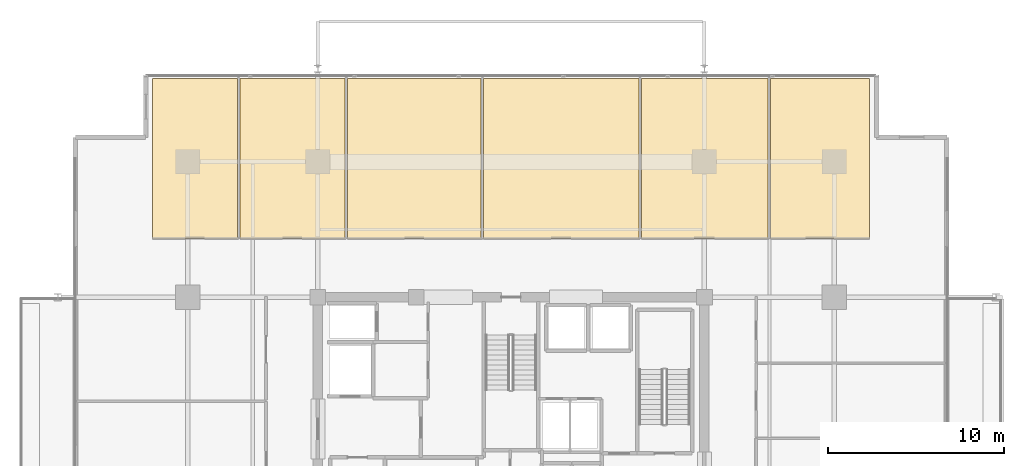
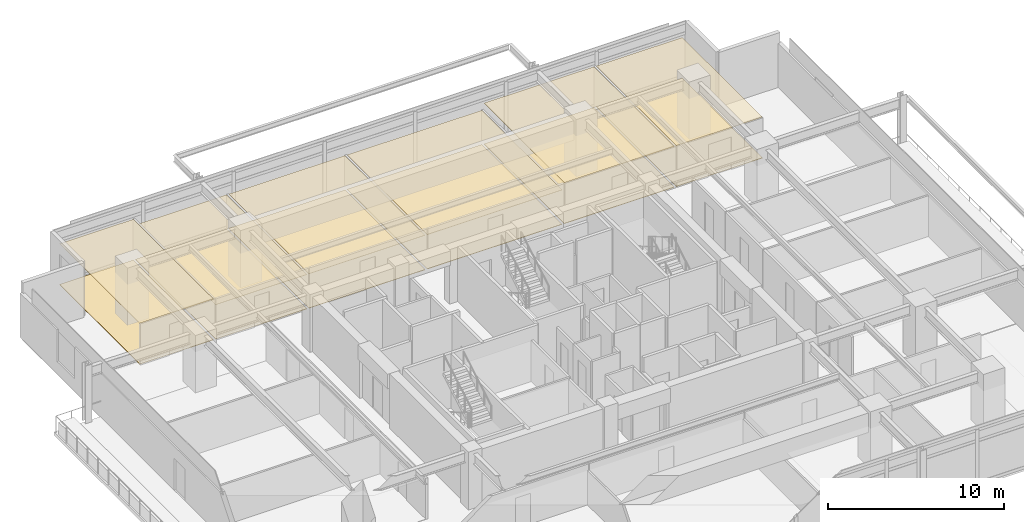
# One storey, part 21 of 21: 12 coverings.
"""IFC4 building model written with IfcOpenShell, lengths in metres."""

from ifc_helpers import new_model, si_unit, direction, frame, origin, place, context, subcontext, project, spatial, polyline, outline, extrude, material, layer, layer_set, type_object, element, save


model = new_model("IFC4")

# Units and contexts
model_context = context("Model", 3, precision=1e-05, world=origin(), true_north=direction((0.0, 1.0)))
body_context = subcontext(model_context, "Body", "Model", "MODEL_VIEW")
ifc_project = project(units=[si_unit("LENGTHUNIT", "METRE"), si_unit("AREAUNIT", "SQUARE_METRE"), si_unit("VOLUMEUNIT", "CUBIC_METRE"), si_unit("PLANEANGLEUNIT", "RADIAN"), si_unit("MASSUNIT", "GRAM", prefix="KILO")], contexts=[model_context])

# Site, building, storey
site_placement = place(None, origin())
site = spatial("IfcSite", under=ifc_project, at=site_placement, CompositionType="ELEMENT")
building_placement = place(site_placement, origin())
building = spatial("IfcBuilding", under=site, at=building_placement, Name="Kovane Verandah Tower", CompositionType="ELEMENT")
storey_placement = place(building_placement, frame((0.0, 0.0, 205.199951171875)))
storey = spatial("IfcBuildingStorey", under=building, at=storey_placement, Name="L47", CompositionType="ELEMENT", Elevation=205.199951171875)

# Coverings
ifc_material_1 = material(Name="Perforated Acoustic Mineral-Fibre Ceiling Tile", Category="gypsum")
ifc_layer_1 = layer(ifc_material_1, 0.02490234375)
ifc_layer_set_1 = layer_set([ifc_layer_1], Name="Perforated Acoustic Mineral-Fibre Ceiling Tile")
covering_type_1 = type_object("IfcCoveringType", Name="CV-CEIL-25", PredefinedType="CEILING", material=ifc_layer_set_1)
covering_1_placement = place(storey_placement, frame((0.0, 0.0, 2.824951171875)))
element("IfcCovering", 1, at=covering_1_placement, inside=storey, type_object=covering_type_1, Name="L47 Breakout Pantry N1 Acoustic Ceiling", PredefinedType="CEILING", context=body_context, shape_type="SweptSolid", body=[
    extrude(outline(polyline([(19.60009765625, 39.85009765625), (24.426025390625, 39.85009765625), (24.426025390625, 48.949951171875), (19.60009765625, 48.949951171875), (19.60009765625, 39.85009765625)])), origin(), (0.0, 0.0, 1.0), 0.025146484375),
])
covering_2_placement = place(storey_placement, frame((0.0, 0.0, 2.380126953125)))
element("IfcCovering", 2, at=covering_2_placement, inside=storey, type_object=covering_type_1, Name="L47 Collaboration Hub N2 Acoustic Ceiling", PredefinedType="CEILING", context=body_context, shape_type="SweptSolid", body=[
    extrude(outline(polyline([(24.56591796875, 39.85009765625), (30.5458984375, 39.85009765625), (30.5458984375, 48.949951171875), (24.56591796875, 48.949951171875), (24.56591796875, 39.85009765625)])), origin(), (0.0, 0.0, 1.0), 0.02490234375),
])
covering_3_placement = place(storey_placement, frame((0.0, 0.0, 2.380126953125)))
element("IfcCovering", 3, at=covering_3_placement, inside=storey, type_object=covering_type_1, Name="L47 Document and Print Room N3 Acoustic Ceiling", PredefinedType="CEILING", context=body_context, shape_type="SweptSolid", body=[
    extrude(outline(polyline([(30.68603515625, 39.85009765625), (38.298095703125, 39.85009765625), (38.298095703125, 48.949951171875), (30.68603515625, 48.949951171875), (30.68603515625, 39.85009765625)])), origin(), (0.0, 0.0, 1.0), 0.02490234375),
])
covering_4_placement = place(storey_placement, frame((0.0, 0.0, 2.380126953125)))
element("IfcCovering", 4, at=covering_4_placement, inside=storey, type_object=covering_type_1, Name="L47 Open Plan Office N4 Acoustic Ceiling", PredefinedType="CEILING", context=body_context, shape_type="SweptSolid", body=[
    extrude(outline(polyline([(38.43798828125, 39.85009765625), (47.27392578125, 39.85009765625), (47.27392578125, 48.949951171875), (38.43798828125, 48.949951171875), (38.43798828125, 39.85009765625)])), origin(), (0.0, 0.0, 1.0), 0.02490234375),
])
covering_5_placement = place(storey_placement, frame((0.0, 0.0, 2.824951171875)))
element("IfcCovering", 5, at=covering_5_placement, inside=storey, type_object=covering_type_1, Name="L47 Executive Office N5 Acoustic Ceiling", PredefinedType="CEILING", context=body_context, shape_type="SweptSolid", body=[
    extrude(outline(polyline([(47.4140625, 39.85009765625), (54.617919921875, 39.85009765625), (54.617919921875, 48.949951171875), (47.4140625, 48.949951171875), (47.4140625, 39.85009765625)])), origin(), (0.0, 0.0, 1.0), 0.025146484375),
])
covering_6_placement = place(storey_placement, frame((0.0, 0.0, 2.824951171875)))
element("IfcCovering", 6, at=covering_6_placement, inside=storey, type_object=covering_type_1, Name="L47 Client Boardroom N6 Acoustic Ceiling", PredefinedType="CEILING", context=body_context, shape_type="SweptSolid", body=[
    extrude(outline(polyline([(54.758056640625, 39.85009765625), (60.39990234375, 39.85009765625), (60.39990234375, 48.949951171875), (54.758056640625, 48.949951171875), (54.758056640625, 39.85009765625)])), origin(), (0.0, 0.0, 1.0), 0.025146484375),
])
ifc_material_2 = material(Name="Polished Terrazzo and Raised-Access Carpet Tile Finish", Category="concrete")
ifc_layer_2 = layer(ifc_material_2, 0.030029296875)
ifc_layer_set_2 = layer_set([ifc_layer_2], Name="Polished Terrazzo and Raised-Access Carpet Tile Finish")
covering_type_2 = type_object("IfcCoveringType", Name="CV-FLOR-30", PredefinedType="FLOORING", material=ifc_layer_set_2)
covering_7_placement = place(storey_placement, origin())
element("IfcCovering", 7, at=covering_7_placement, inside=storey, type_object=covering_type_2, Name="L47 Breakout Pantry N1 Floor Finish", PredefinedType="FLOORING", context=body_context, shape_type="SweptSolid", body=[
    extrude(outline(polyline([(19.60009765625, 39.85009765625), (24.426025390625, 39.85009765625), (24.426025390625, 48.949951171875), (19.60009765625, 48.949951171875), (19.60009765625, 39.85009765625)])), origin(), (0.0, 0.0, 1.0), 0.030029296875),
])
covering_8_placement = place(storey_placement, origin())
element("IfcCovering", 8, at=covering_8_placement, inside=storey, type_object=covering_type_2, Name="L47 Collaboration Hub N2 Floor Finish", PredefinedType="FLOORING", context=body_context, shape_type="SweptSolid", body=[
    extrude(outline(polyline([(24.56591796875, 39.85009765625), (30.5458984375, 39.85009765625), (30.5458984375, 48.949951171875), (24.56591796875, 48.949951171875), (24.56591796875, 39.85009765625)])), origin(), (0.0, 0.0, 1.0), 0.030029296875),
])
covering_9_placement = place(storey_placement, origin())
element("IfcCovering", 9, at=covering_9_placement, inside=storey, type_object=covering_type_2, Name="L47 Document and Print Room N3 Floor Finish", PredefinedType="FLOORING", context=body_context, shape_type="SweptSolid", body=[
    extrude(outline(polyline([(30.68603515625, 39.85009765625), (38.298095703125, 39.85009765625), (38.298095703125, 48.949951171875), (30.68603515625, 48.949951171875), (30.68603515625, 39.85009765625)])), origin(), (0.0, 0.0, 1.0), 0.030029296875),
])
covering_10_placement = place(storey_placement, origin())
element("IfcCovering", 10, at=covering_10_placement, inside=storey, type_object=covering_type_2, Name="L47 Open Plan Office N4 Floor Finish", PredefinedType="FLOORING", context=body_context, shape_type="SweptSolid", body=[
    extrude(outline(polyline([(38.43798828125, 39.85009765625), (47.27392578125, 39.85009765625), (47.27392578125, 48.949951171875), (38.43798828125, 48.949951171875), (38.43798828125, 39.85009765625)])), origin(), (0.0, 0.0, 1.0), 0.030029296875),
])
covering_11_placement = place(storey_placement, origin())
element("IfcCovering", 11, at=covering_11_placement, inside=storey, type_object=covering_type_2, Name="L47 Executive Office N5 Floor Finish", PredefinedType="FLOORING", context=body_context, shape_type="SweptSolid", body=[
    extrude(outline(polyline([(47.4140625, 39.85009765625), (54.617919921875, 39.85009765625), (54.617919921875, 48.949951171875), (47.4140625, 48.949951171875), (47.4140625, 39.85009765625)])), origin(), (0.0, 0.0, 1.0), 0.030029296875),
])
covering_12_placement = place(storey_placement, origin())
element("IfcCovering", 12, at=covering_12_placement, inside=storey, type_object=covering_type_2, Name="L47 Client Boardroom N6 Floor Finish", PredefinedType="FLOORING", context=body_context, shape_type="SweptSolid", body=[
    extrude(outline(polyline([(54.758056640625, 39.85009765625), (60.39990234375, 39.85009765625), (60.39990234375, 48.949951171875), (54.758056640625, 48.949951171875), (54.758056640625, 39.85009765625)])), origin(), (0.0, 0.0, 1.0), 0.030029296875),
])

save(model, "model.ifc")
